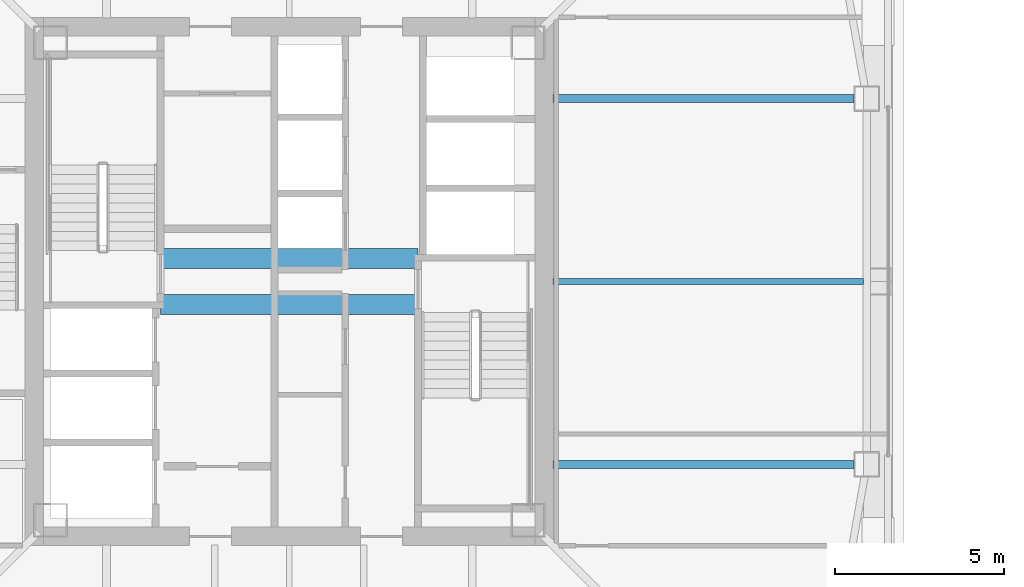
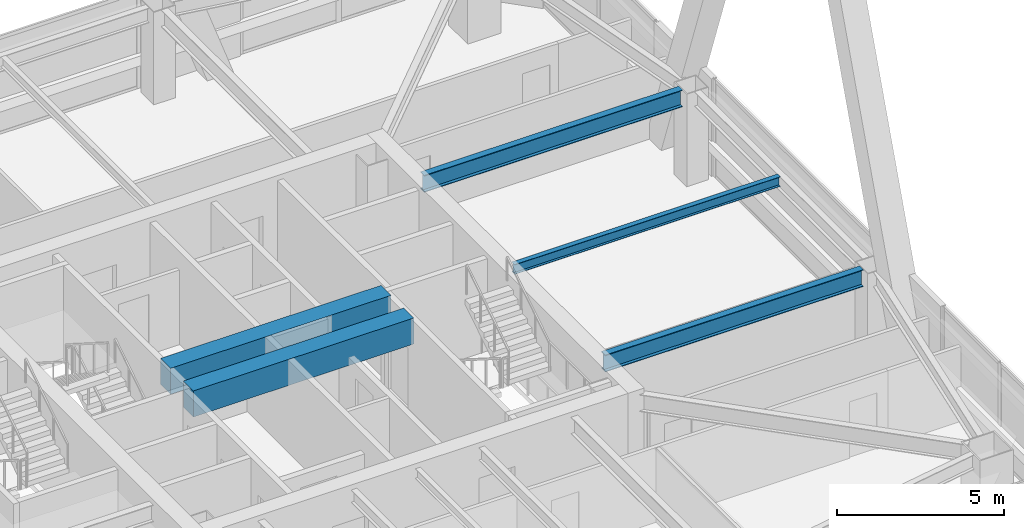
# One storey, part 12 of 55: 5 beams.
"""IFC4 building model written with IfcOpenShell, lengths in metres."""

import ifcopenshell
import ifcopenshell.guid

model = None  # the IFC model being written
_history = None  # IfcOwnerHistory: only IFC2X3 demands one
_inside = {}  # id of a spatial element -> (the spatial element, [elements in it])
_under = {}  # id of a project, library or spatial element -> (it, [spatial elements below it])
_declared = {}  # id of a project -> (the project, [libraries it declares])
_typed = {}  # id of a type object -> (the type object, [elements of that type])
_made_of = {}  # id of a material, layer set ... -> (it, [elements and type objects made of it])


def new_model(schema):
    """Start an empty IFC model of exactly this schema.

    Asked for "IFC4X3", IfcOpenShell would pick the latest addendum, in which some entities
    have other attributes; the version numbers below select the first issue.
    IFC2X3 requires an IfcOwnerHistory on every rooted entity: one is made here for all.
    """
    global model, _history
    if schema == "IFC4X3":
        model = ifcopenshell.file(schema_version=(4, 3, 0, 0))
    else:
        model = ifcopenshell.file(schema=schema)
    _inside.clear()
    _under.clear()
    _declared.clear()
    _typed.clear()
    _made_of.clear()
    _history = None
    if model.schema == "IFC2X3":
        org = make("IfcOrganization", Name="unknown")
        user = make(
            "IfcPersonAndOrganization",
            ThePerson=make("IfcPerson", FamilyName="unknown"),
            TheOrganization=org,
        )
        app = make(
            "IfcApplication",
            ApplicationDeveloper=org,
            Version="unknown",
            ApplicationFullName="unknown",
            ApplicationIdentifier="unknown",
        )
        _history = make(
            "IfcOwnerHistory",
            OwningUser=user,
            OwningApplication=app,
            ChangeAction="ADDED",
            CreationDate=0,
        )
    return model


def make(cls, **values):
    """One entity of the class cls with the attributes given. An attribute that is None is left unset."""
    return model.create_entity(
        cls, **{name: value for name, value in values.items() if value is not None}
    )


def rooted(cls, **values):
    """An entity with a GlobalId (a new one), such as an element, a storey or a relation."""
    return make(cls, GlobalId=ifcopenshell.guid.new(), OwnerHistory=_history, **values)


def si_unit(unit_type, name, prefix=None):
    """IfcSIUnit, for example si_unit("LENGTHUNIT", "METRE", prefix="MILLI")."""
    return make("IfcSIUnit", UnitType=unit_type, Prefix=prefix, Name=name)


def assignment(units):
    """IfcUnitAssignment: the units of a project."""
    return None if units is None else make("IfcUnitAssignment", Units=units)


def point(xyz):
    """IfcCartesianPoint."""
    return None if xyz is None else make("IfcCartesianPoint", Coordinates=xyz)


def direction(xyz):
    """IfcDirection."""
    return None if xyz is None else make("IfcDirection", DirectionRatios=xyz)


def frame(location, z_axis=None, x_axis=None):
    """IfcAxis2Placement3D, a coordinate frame: its origin and axes. An axis left out is left unset."""
    return make(
        "IfcAxis2Placement3D",
        Location=point(location),
        Axis=direction(z_axis),
        RefDirection=direction(x_axis),
    )


def frame_2d(location, x_axis=None):
    """IfcAxis2Placement2D, a coordinate frame in the plane: its origin and x axis."""
    return make(
        "IfcAxis2Placement2D", Location=point(location), RefDirection=direction(x_axis)
    )


def origin():
    """The frame at (0, 0, 0) with its axes left unset."""
    return frame((0.0, 0.0, 0.0))


def origin_2d():
    """The frame at (0, 0) in the plane with its x axis left unset."""
    return frame_2d((0.0, 0.0))


def place(relative_to, where):
    """IfcLocalPlacement: puts the frame where relative to a parent placement (None: the world)."""
    return make(
        "IfcLocalPlacement", PlacementRelTo=relative_to, RelativePlacement=where
    )


def context(
    kind, dimensions, precision=None, world=None, true_north=None, identifier=None
):
    """IfcGeometricRepresentationContext, for example the 3D "Model" context."""
    return make(
        "IfcGeometricRepresentationContext",
        ContextIdentifier=identifier,
        ContextType=kind,
        CoordinateSpaceDimension=dimensions,
        Precision=precision,
        WorldCoordinateSystem=world,
        TrueNorth=true_north,
    )


def subcontext(parent, identifier, kind, view, scale=None):
    """IfcGeometricRepresentationSubContext, for example "Body" below "Model"."""
    return make(
        "IfcGeometricRepresentationSubContext",
        ContextIdentifier=identifier,
        ContextType=kind,
        ParentContext=parent,
        TargetScale=scale,
        TargetView=view,
    )


def project(units=None, contexts=None):
    """IfcProject with its units and contexts."""
    return rooted(
        "IfcProject",
        Name="project",
        RepresentationContexts=contexts,
        UnitsInContext=assignment(units),
    )


def spatial(cls, under=None, at=None, **own):
    """A site, building, storey or space (cls), placed at a placement, below another one or the project."""
    s = rooted(cls, ObjectPlacement=at, **own)
    if under is not None:
        _under.setdefault(under.id(), (under, []))[1].append(s)
    return s


def profile(cls, at=None, kind="AREA", **sizes):
    """A parametric profile (cls). Its sizes go by their IFC names, for example OverallWidth=200.0."""
    return make(cls, ProfileType=kind, Position=at, **sizes)


def rectangle(**sizes):
    """IfcRectangleProfileDef."""
    return profile("IfcRectangleProfileDef", **sizes)


def i_section(**sizes):
    """IfcIShapeProfileDef."""
    return profile("IfcIShapeProfileDef", **sizes)


def extrude(swept, where, along, depth):
    """IfcExtrudedAreaSolid: the profile swept, set in the frame where, extruded along a direction by depth."""
    return make(
        "IfcExtrudedAreaSolid",
        SweptArea=swept,
        Position=where,
        ExtrudedDirection=direction(along),
        Depth=depth,
    )


def shape(context_of_items, identifier, shape_type, items):
    """IfcShapeRepresentation: the items that make up one representation, for example the "Body"."""
    return make(
        "IfcShapeRepresentation",
        ContextOfItems=context_of_items,
        RepresentationIdentifier=identifier,
        RepresentationType=shape_type,
        Items=items,
    )


def material(Name=None, Category=None):
    """IfcMaterial."""
    return make("IfcMaterial", Name=Name, Category=Category)


def material_profile(
    of_material, cross_section, Name=None, Category=None, Priority=None
):
    """IfcMaterialProfile: a cross section and its material."""
    return make(
        "IfcMaterialProfile",
        Name=Name,
        Material=of_material,
        Profile=cross_section,
        Priority=Priority,
        Category=Category,
    )


def profile_set(profiles, Name=None, composite=None):
    """IfcMaterialProfileSet."""
    return make(
        "IfcMaterialProfileSet",
        Name=Name,
        MaterialProfiles=profiles,
        CompositeProfile=composite,
    )


def made_of(thing, what):
    """Note that an element or type object is made of a material, layer set ...; save() writes the relation."""
    if what is not None:
        _made_of.setdefault(what.id(), (what, []))[1].append(thing)
    return thing


def type_object(cls, material=None, **own):
    """A type object (cls), such as IfcWallType, which elements share."""
    return made_of(rooted(cls, **own), material)


def element(
    cls,
    number,
    at=None,
    inside=None,
    cuts=None,
    type_object=None,
    material=None,
    context=None,
    identifier="Body",
    shape_type=None,
    held_by="IfcProductDefinitionShape",
    body=None,
    shapes=None,
    **own,
):
    """One element of the class cls, such as IfcWall. Its Tag is "e" and its number.

    at: its placement. inside: the storey or other place that contains it. cuts: it is an
    opening in that element (IfcRelVoidsElement). A single representation is given by context,
    identifier, shape_type and body (its items); several are given by shapes. held_by: the class
    of the entity that holds the representations. save() writes the other relations.
    """
    e = rooted(cls, Tag="e%d" % number, ObjectPlacement=at, **own)
    if body is not None:
        shapes = [shape(context, identifier, shape_type, body)]
    if shapes is not None:
        e.Representation = make(held_by, Representations=shapes)
    if inside is not None:
        _inside.setdefault(inside.id(), (inside, []))[1].append(e)
    if cuts is not None:
        rooted(
            "IfcRelVoidsElement", RelatingBuildingElement=cuts, RelatedOpeningElement=e
        )
    if type_object is not None:
        _typed.setdefault(type_object.id(), (type_object, []))[1].append(e)
    return made_of(e, material)


def aggregate(whole, parts):
    """IfcRelAggregates: a whole, such as a stair, and the parts it consists of."""
    return rooted("IfcRelAggregates", RelatingObject=whole, RelatedObjects=parts)


def save(model, path):
    """Write the relations noted so far, then the file.

    IfcRelAggregates (storeys below a building ...), IfcRelContainedInSpatialStructure (elements
    in a storey), IfcRelDefinesByType, IfcRelAssociatesMaterial and IfcRelDeclares: one each for
    every whole, place, type object, material and project.
    """
    for whole, parts in _under.values():
        aggregate(whole, parts)
    for where, things in _inside.values():
        rooted(
            "IfcRelContainedInSpatialStructure",
            RelatedElements=things,
            RelatingStructure=where,
        )
    for kind, things in _typed.values():
        rooted("IfcRelDefinesByType", RelatedObjects=things, RelatingType=kind)
    for what, things in _made_of.values():
        rooted("IfcRelAssociatesMaterial", RelatedObjects=things, RelatingMaterial=what)
    for by, libraries in _declared.values():
        rooted("IfcRelDeclares", RelatingContext=by, RelatedDefinitions=libraries)
    model.write(path)


model = new_model("IFC4")

# Units and contexts
model_context = context("Model", 3, precision=1e-05, world=origin(), true_north=direction((0.0, 1.0)))
body_context = subcontext(model_context, "Body", "Model", "MODEL_VIEW")
ifc_project = project(units=[si_unit("LENGTHUNIT", "METRE"), si_unit("AREAUNIT", "SQUARE_METRE"), si_unit("VOLUMEUNIT", "CUBIC_METRE"), si_unit("PLANEANGLEUNIT", "RADIAN"), si_unit("MASSUNIT", "GRAM", prefix="KILO")], contexts=[model_context])

# Site, building, storey
site_placement = place(None, origin())
site = spatial("IfcSite", under=ifc_project, at=site_placement, CompositionType="ELEMENT")
building_placement = place(site_placement, origin())
building = spatial("IfcBuilding", under=site, at=building_placement, Name="Tashvorn Skyway Center", CompositionType="ELEMENT")
storey_placement = place(building_placement, frame((0.0, 0.0, 178.300048828125)))
storey = spatial("IfcBuildingStorey", under=building, at=storey_placement, Name="L48", CompositionType="ELEMENT", Elevation=178.300048828125)

# Beams
ifc_material_1 = material(Name="Steel ASTM A992 Grade 50", Category="steel")
ifc_material_profile_1 = material_profile(ifc_material_1, i_section(OverallWidth=0.22998046875, OverallDepth=0.616943359375, WebThickness=0.01318359375, FlangeThickness=0.022216796875, at=origin_2d()), Name="W24X94")
ifc_profile_set_1 = profile_set([ifc_material_profile_1], Name="Steel ASTM A992 Grade 50")
beam_type_1 = type_object("IfcBeamType", Name="BM-BEAM-W24X94", PredefinedType="BEAM", material=ifc_profile_set_1)
for number, where, z_axis, x_axis, name in (
    (1, (58.679931640625, 26.60009765625, 3.0615234375), (-1.0, 0.0, 0.0), (0.0, -1.0, 0.0), "Tower 1 L48 Primary Floor Girder FC-E1"),
    (2, (58.679931640625, 37.39990234375, 3.0615234375), (-1.0, 0.0, 0.0), (0.0, -1.0, 0.0), "Tower 1 L48 Primary Floor Girder FC-E2"),
):
    element("IfcBeam", number, at=place(storey_placement, frame(where, z_axis=z_axis, x_axis=x_axis)), inside=storey, type_object=beam_type_1, Name=name, PredefinedType="BEAM", context=body_context, shape_type="SweptSolid", body=[
        extrude(i_section(OverallWidth=0.22998046875, OverallDepth=0.616943359375, WebThickness=0.01318359375, FlangeThickness=0.022216796875, at=origin_2d()), origin(), (0.0, 0.0, 1.0), 8.89990234375),
    ])
ifc_material_profile_2 = material_profile(ifc_material_1, i_section(OverallWidth=0.1708984375, OverallDepth=0.35498046875, WebThickness=0.007080078125, FlangeThickness=0.01171875, at=origin_2d()), Name="W14X34")
ifc_profile_set_2 = profile_set([ifc_material_profile_2], Name="Steel ASTM A992 Grade 50")
beam_type_2 = type_object("IfcBeamType", Name="BM-JOIST-W14X34", PredefinedType="JOIST", material=ifc_profile_set_2)
beam_placement = place(storey_placement, frame((49.7900390625, 32.0, 3.1923828125), z_axis=(1.0, 0.0, 0.0), x_axis=(0.0, 1.0, 0.0)))
element("IfcBeam", 3, at=beam_placement, inside=storey, type_object=beam_type_2, Name="Tower 1 L48 Secondary Composite Joist JE", PredefinedType="JOIST", context=body_context, shape_type="SweptSolid", body=[
    extrude(i_section(OverallWidth=0.1708984375, OverallDepth=0.35498046875, WebThickness=0.007080078125, FlangeThickness=0.01171875, at=origin_2d()), origin(), (0.0, 0.0, 1.0), 9.162353515625),
])
ifc_material_2 = material(Name="Concrete C60/75", Category="concrete")
ifc_material_profile_3 = material_profile(ifc_material_2, rectangle(XDim=0.60009765625, YDim=0.949951171875, at=origin_2d()), Name="RCB600x950")
ifc_profile_set_3 = profile_set([ifc_material_profile_3], Name="Concrete C60/75")
beam_type_3 = type_object("IfcBeamType", Name="BM-LINTEL-RCB600x950", PredefinedType="LINTEL", material=ifc_profile_set_3)
for number, where, z_axis, x_axis, name in (
    (4, (38.199951171875, 32.679931640625, 2.89501953125), (1.0, 0.0, 0.0), (0.0, 1.0, 0.0), "Tower 1 L48 Core Coupling Beam CN"),
    (5, (38.199951171875, 31.320068359375, 2.89501953125), (1.0, 0.0, 0.0), (0.0, 1.0, 0.0), "Tower 1 L48 Core Coupling Beam CS"),
):
    element("IfcBeam", number, at=place(storey_placement, frame(where, z_axis=z_axis, x_axis=x_axis)), inside=storey, type_object=beam_type_3, Name=name, PredefinedType="LINTEL", context=body_context, shape_type="SweptSolid", body=[
        extrude(rectangle(XDim=0.60009765625, YDim=0.949951171875, at=origin_2d()), origin(), (0.0, 0.0, 1.0), 7.60009765625),
    ])

save(model, "model.ifc")
